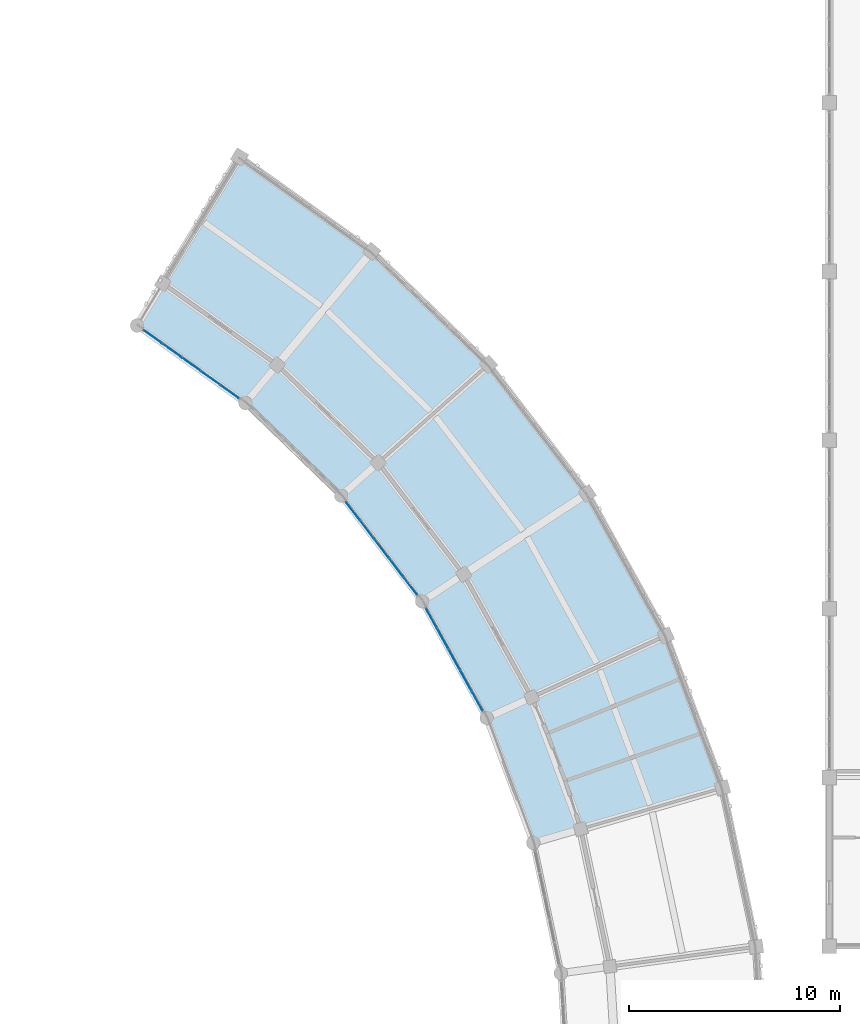
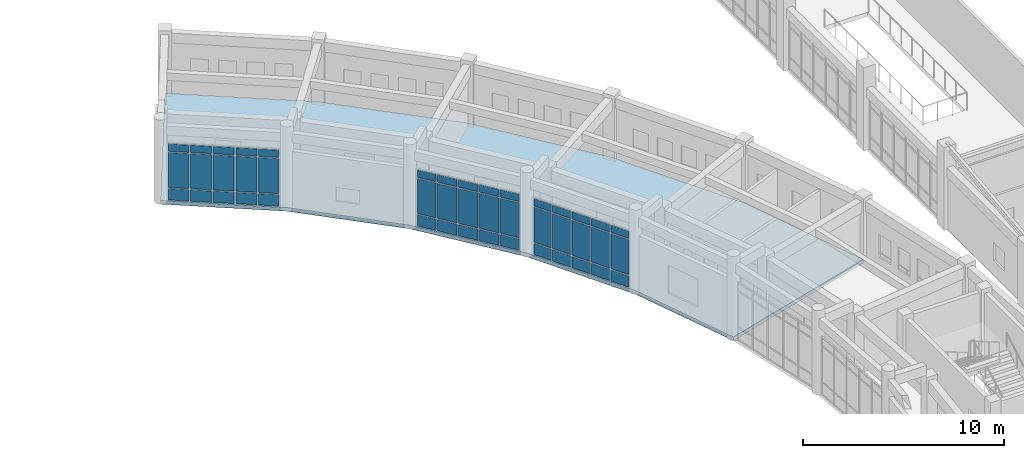
# One storey, part 111 of 159: 45 plates, 1 slab, 3 elements without a shape of their own.
"""IFC4 building model written with IfcOpenShell, lengths in metres."""

import ifcopenshell
import ifcopenshell.guid

model = None  # the IFC model being written
_history = None  # IfcOwnerHistory: only IFC2X3 demands one
_inside = {}  # id of a spatial element -> (the spatial element, [elements in it])
_under = {}  # id of a project, library or spatial element -> (it, [spatial elements below it])
_declared = {}  # id of a project -> (the project, [libraries it declares])
_typed = {}  # id of a type object -> (the type object, [elements of that type])
_made_of = {}  # id of a material, layer set ... -> (it, [elements and type objects made of it])


def new_model(schema):
    """Start an empty IFC model of exactly this schema.

    Asked for "IFC4X3", IfcOpenShell would pick the latest addendum, in which some entities
    have other attributes; the version numbers below select the first issue.
    IFC2X3 requires an IfcOwnerHistory on every rooted entity: one is made here for all.
    """
    global model, _history
    if schema == "IFC4X3":
        model = ifcopenshell.file(schema_version=(4, 3, 0, 0))
    else:
        model = ifcopenshell.file(schema=schema)
    _inside.clear()
    _under.clear()
    _declared.clear()
    _typed.clear()
    _made_of.clear()
    _history = None
    if model.schema == "IFC2X3":
        org = make("IfcOrganization", Name="unknown")
        user = make(
            "IfcPersonAndOrganization",
            ThePerson=make("IfcPerson", FamilyName="unknown"),
            TheOrganization=org,
        )
        app = make(
            "IfcApplication",
            ApplicationDeveloper=org,
            Version="unknown",
            ApplicationFullName="unknown",
            ApplicationIdentifier="unknown",
        )
        _history = make(
            "IfcOwnerHistory",
            OwningUser=user,
            OwningApplication=app,
            ChangeAction="ADDED",
            CreationDate=0,
        )
    return model


def make(cls, **values):
    """One entity of the class cls with the attributes given. An attribute that is None is left unset."""
    return model.create_entity(
        cls, **{name: value for name, value in values.items() if value is not None}
    )


def rooted(cls, **values):
    """An entity with a GlobalId (a new one), such as an element, a storey or a relation."""
    return make(cls, GlobalId=ifcopenshell.guid.new(), OwnerHistory=_history, **values)


def si_unit(unit_type, name, prefix=None):
    """IfcSIUnit, for example si_unit("LENGTHUNIT", "METRE", prefix="MILLI")."""
    return make("IfcSIUnit", UnitType=unit_type, Prefix=prefix, Name=name)


def assignment(units):
    """IfcUnitAssignment: the units of a project."""
    return None if units is None else make("IfcUnitAssignment", Units=units)


def point(xyz):
    """IfcCartesianPoint."""
    return None if xyz is None else make("IfcCartesianPoint", Coordinates=xyz)


def direction(xyz):
    """IfcDirection."""
    return None if xyz is None else make("IfcDirection", DirectionRatios=xyz)


def frame(location, z_axis=None, x_axis=None):
    """IfcAxis2Placement3D, a coordinate frame: its origin and axes. An axis left out is left unset."""
    return make(
        "IfcAxis2Placement3D",
        Location=point(location),
        Axis=direction(z_axis),
        RefDirection=direction(x_axis),
    )


def frame_2d(location, x_axis=None):
    """IfcAxis2Placement2D, a coordinate frame in the plane: its origin and x axis."""
    return make(
        "IfcAxis2Placement2D", Location=point(location), RefDirection=direction(x_axis)
    )


def origin():
    """The frame at (0, 0, 0) with its axes left unset."""
    return frame((0.0, 0.0, 0.0))


def origin_2d():
    """The frame at (0, 0) in the plane with its x axis left unset."""
    return frame_2d((0.0, 0.0))


def place(relative_to, where):
    """IfcLocalPlacement: puts the frame where relative to a parent placement (None: the world)."""
    return make(
        "IfcLocalPlacement", PlacementRelTo=relative_to, RelativePlacement=where
    )


def context(
    kind, dimensions, precision=None, world=None, true_north=None, identifier=None
):
    """IfcGeometricRepresentationContext, for example the 3D "Model" context."""
    return make(
        "IfcGeometricRepresentationContext",
        ContextIdentifier=identifier,
        ContextType=kind,
        CoordinateSpaceDimension=dimensions,
        Precision=precision,
        WorldCoordinateSystem=world,
        TrueNorth=true_north,
    )


def subcontext(parent, identifier, kind, view, scale=None):
    """IfcGeometricRepresentationSubContext, for example "Body" below "Model"."""
    return make(
        "IfcGeometricRepresentationSubContext",
        ContextIdentifier=identifier,
        ContextType=kind,
        ParentContext=parent,
        TargetScale=scale,
        TargetView=view,
    )


def project(units=None, contexts=None):
    """IfcProject with its units and contexts."""
    return rooted(
        "IfcProject",
        Name="project",
        RepresentationContexts=contexts,
        UnitsInContext=assignment(units),
    )


def spatial(cls, under=None, at=None, **own):
    """A site, building, storey or space (cls), placed at a placement, below another one or the project."""
    s = rooted(cls, ObjectPlacement=at, **own)
    if under is not None:
        _under.setdefault(under.id(), (under, []))[1].append(s)
    return s


def polyline(points):
    """IfcPolyline through the points."""
    return make("IfcPolyline", Points=[point(p) for p in points])


def profile(cls, at=None, kind="AREA", **sizes):
    """A parametric profile (cls). Its sizes go by their IFC names, for example OverallWidth=200.0."""
    return make(cls, ProfileType=kind, Position=at, **sizes)


def rectangle(**sizes):
    """IfcRectangleProfileDef."""
    return profile("IfcRectangleProfileDef", **sizes)


def outline(outer, holes=None, kind="AREA"):
    """IfcArbitraryClosedProfileDef: a profile drawn as a closed curve; with holes, ...WithVoids."""
    if holes is None:
        return make("IfcArbitraryClosedProfileDef", ProfileType=kind, OuterCurve=outer)
    return make(
        "IfcArbitraryProfileDefWithVoids",
        ProfileType=kind,
        OuterCurve=outer,
        InnerCurves=holes,
    )


def extrude(swept, where, along, depth):
    """IfcExtrudedAreaSolid: the profile swept, set in the frame where, extruded along a direction by depth."""
    return make(
        "IfcExtrudedAreaSolid",
        SweptArea=swept,
        Position=where,
        ExtrudedDirection=direction(along),
        Depth=depth,
    )


def shape(context_of_items, identifier, shape_type, items):
    """IfcShapeRepresentation: the items that make up one representation, for example the "Body"."""
    return make(
        "IfcShapeRepresentation",
        ContextOfItems=context_of_items,
        RepresentationIdentifier=identifier,
        RepresentationType=shape_type,
        Items=items,
    )


def material(Name=None, Category=None):
    """IfcMaterial."""
    return make("IfcMaterial", Name=Name, Category=Category)


def layer(
    of_material, thickness, ventilated=None, Name=None, Category=None, Priority=None
):
    """IfcMaterialLayer: one layer of a wall or slab, of a material (None: an air gap)."""
    return make(
        "IfcMaterialLayer",
        Material=of_material,
        LayerThickness=thickness,
        IsVentilated=ventilated,
        Name=Name,
        Category=Category,
        Priority=Priority,
    )


def layer_set(layers, Name=None):
    """IfcMaterialLayerSet."""
    return make("IfcMaterialLayerSet", MaterialLayers=layers, LayerSetName=Name)


def made_of(thing, what):
    """Note that an element or type object is made of a material, layer set ...; save() writes the relation."""
    if what is not None:
        _made_of.setdefault(what.id(), (what, []))[1].append(thing)
    return thing


def type_object(cls, material=None, **own):
    """A type object (cls), such as IfcWallType, which elements share."""
    return made_of(rooted(cls, **own), material)


def element(
    cls,
    number,
    at=None,
    inside=None,
    cuts=None,
    type_object=None,
    material=None,
    context=None,
    identifier="Body",
    shape_type=None,
    held_by="IfcProductDefinitionShape",
    body=None,
    shapes=None,
    **own,
):
    """One element of the class cls, such as IfcWall. Its Tag is "e" and its number.

    at: its placement. inside: the storey or other place that contains it. cuts: it is an
    opening in that element (IfcRelVoidsElement). A single representation is given by context,
    identifier, shape_type and body (its items); several are given by shapes. held_by: the class
    of the entity that holds the representations. save() writes the other relations.
    """
    e = rooted(cls, Tag="e%d" % number, ObjectPlacement=at, **own)
    if body is not None:
        shapes = [shape(context, identifier, shape_type, body)]
    if shapes is not None:
        e.Representation = make(held_by, Representations=shapes)
    if inside is not None:
        _inside.setdefault(inside.id(), (inside, []))[1].append(e)
    if cuts is not None:
        rooted(
            "IfcRelVoidsElement", RelatingBuildingElement=cuts, RelatedOpeningElement=e
        )
    if type_object is not None:
        _typed.setdefault(type_object.id(), (type_object, []))[1].append(e)
    return made_of(e, material)


def aggregate(whole, parts):
    """IfcRelAggregates: a whole, such as a stair, and the parts it consists of."""
    return rooted("IfcRelAggregates", RelatingObject=whole, RelatedObjects=parts)


def save(model, path):
    """Write the relations noted so far, then the file.

    IfcRelAggregates (storeys below a building ...), IfcRelContainedInSpatialStructure (elements
    in a storey), IfcRelDefinesByType, IfcRelAssociatesMaterial and IfcRelDeclares: one each for
    every whole, place, type object, material and project.
    """
    for whole, parts in _under.values():
        aggregate(whole, parts)
    for where, things in _inside.values():
        rooted(
            "IfcRelContainedInSpatialStructure",
            RelatedElements=things,
            RelatingStructure=where,
        )
    for kind, things in _typed.values():
        rooted("IfcRelDefinesByType", RelatedObjects=things, RelatingType=kind)
    for what, things in _made_of.values():
        rooted("IfcRelAssociatesMaterial", RelatedObjects=things, RelatingMaterial=what)
    for by, libraries in _declared.values():
        rooted("IfcRelDeclares", RelatingContext=by, RelatedDefinitions=libraries)
    model.write(path)


model = new_model("IFC4")

# Units and contexts
model_context = context("Model", 3, precision=1e-05, world=origin(), true_north=direction((0.0, 1.0)))
body_context = subcontext(model_context, "Body", "Model", "MODEL_VIEW")
ifc_project = project(units=[si_unit("LENGTHUNIT", "METRE"), si_unit("AREAUNIT", "SQUARE_METRE"), si_unit("VOLUMEUNIT", "CUBIC_METRE"), si_unit("PLANEANGLEUNIT", "RADIAN"), si_unit("MASSUNIT", "GRAM", prefix="KILO")], contexts=[model_context])

# Site, building, storey
site_placement = place(None, origin())
site = spatial("IfcSite", under=ifc_project, at=site_placement, CompositionType="ELEMENT")
building_placement = place(site_placement, origin())
building = spatial("IfcBuilding", under=site, at=building_placement, Name="Celadon Cloister-Ring School", CompositionType="ELEMENT")
storey_placement = place(building_placement, frame((0.0, 0.0, 4.5)))
storey = spatial("IfcBuildingStorey", under=building, at=storey_placement, Name="L01", CompositionType="ELEMENT", Elevation=4.5)

# Curtain wall, plates
ifc_material_1 = material(Name="Aluminium EN AW-6063 T6", Category="aluminium")
curtain_wall_type = type_object("IfcCurtainWallType", Name="CW-01", PredefinedType="USERDEFINED", material=ifc_material_1)
curtain_wall_1_placement = place(storey_placement, origin())
curtain_wall_1 = element("IfcCurtainWall", 1, at=curtain_wall_1_placement, inside=storey, type_object=curtain_wall_type, Name="Curtain Wall 0041", ObjectType="CURTAIN WALL", PredefinedType="USERDEFINED")
ifc_material_2 = material(Name="Tempered laminated insulating glass", Category="glass")
ifc_layer_1 = layer(ifc_material_2, 0.028076171875)
ifc_layer_set_1 = layer_set([ifc_layer_1], Name="Tempered laminated insulating glass")
plate_type = type_object("IfcPlateType", Name="CPN-02", PredefinedType="CURTAIN_PANEL", material=ifc_layer_set_1)
plate_1_placement = place(storey_placement, frame((125.307861328125, 77.61669921875, 0.074951171875), z_axis=(0.0, 0.0, 1.0), x_axis=(-0.483934962494, 0.875103966438, 0.0)))
plate_1 = element("IfcPlate", 2, at=plate_1_placement, type_object=plate_type, Name="CW-01 panel 1.1", PredefinedType="CURTAIN_PANEL", context=body_context, shape_type="SweptSolid", body=[
    extrude(rectangle(XDim=1.013916015625, YDim=0.028076171875, at=origin_2d()), origin(), (0.0, 0.0, 1.0), 0.6875),
])
plate_2_placement = place(storey_placement, frame((125.307861328125, 77.61669921875, 0.83740234375), z_axis=(0.0, 0.0, 1.0), x_axis=(-0.483934962494, 0.875103966438, 0.0)))
plate_2 = element("IfcPlate", 3, at=plate_2_placement, type_object=plate_type, Name="CW-01 panel 1.2", PredefinedType="CURTAIN_PANEL", context=body_context, shape_type="SweptSolid", body=[
    extrude(rectangle(XDim=1.013916015625, YDim=0.028076171875, at=origin_2d()), origin(), (0.0, 0.0, 1.0), 2.125),
])
plate_3_placement = place(storey_placement, frame((125.307861328125, 77.61669921875, 3.03759765625), z_axis=(0.0, 0.0, 1.0), x_axis=(-0.483934962494, 0.875103966438, 0.0)))
plate_3 = element("IfcPlate", 4, at=plate_3_placement, type_object=plate_type, Name="CW-01 panel 1.3", PredefinedType="CURTAIN_PANEL", context=body_context, shape_type="SweptSolid", body=[
    extrude(rectangle(XDim=1.013916015625, YDim=0.028076171875, at=origin_2d()), origin(), (0.0, 0.0, 1.0), 0.4375),
])
plate_4_placement = place(storey_placement, frame((124.768798828125, 78.591552734375, 0.074951171875), z_axis=(0.0, 0.0, 1.0), x_axis=(-0.483934962494, 0.875103966438, 0.0)))
plate_4 = element("IfcPlate", 5, at=plate_4_placement, type_object=plate_type, Name="CW-01 panel 2.1", PredefinedType="CURTAIN_PANEL", context=body_context, shape_type="SweptSolid", body=[
    extrude(rectangle(XDim=1.053955078125, YDim=0.028076171875, at=origin_2d()), origin(), (0.0, 0.0, 1.0), 0.6875),
])
plate_5_placement = place(storey_placement, frame((124.768798828125, 78.591552734375, 0.83740234375), z_axis=(0.0, 0.0, 1.0), x_axis=(-0.483934962494, 0.875103966438, 0.0)))
plate_5 = element("IfcPlate", 6, at=plate_5_placement, type_object=plate_type, Name="CW-01 panel 2.2", PredefinedType="CURTAIN_PANEL", context=body_context, shape_type="SweptSolid", body=[
    extrude(rectangle(XDim=1.053955078125, YDim=0.028076171875, at=origin_2d()), origin(), (0.0, 0.0, 1.0), 2.125),
])
plate_6_placement = place(storey_placement, frame((124.768798828125, 78.591552734375, 3.03759765625), z_axis=(0.0, 0.0, 1.0), x_axis=(-0.483934962494, 0.875103966438, 0.0)))
plate_6 = element("IfcPlate", 7, at=plate_6_placement, type_object=plate_type, Name="CW-01 panel 2.3", PredefinedType="CURTAIN_PANEL", context=body_context, shape_type="SweptSolid", body=[
    extrude(rectangle(XDim=1.053955078125, YDim=0.028076171875, at=origin_2d()), origin(), (0.0, 0.0, 1.0), 0.4375),
])
plate_7_placement = place(storey_placement, frame((124.219970703125, 79.583984375, 0.074951171875), z_axis=(0.0, 0.0, 1.0), x_axis=(-0.483934962494, 0.875103966438, 0.0)))
plate_7 = element("IfcPlate", 8, at=plate_7_placement, type_object=plate_type, Name="CW-01 panel 3.1", PredefinedType="CURTAIN_PANEL", context=body_context, shape_type="SweptSolid", body=[
    extrude(rectangle(XDim=1.053955078125, YDim=0.028076171875, at=origin_2d()), origin(), (0.0, 0.0, 1.0), 0.6875),
])
plate_8_placement = place(storey_placement, frame((124.219970703125, 79.583984375, 0.83740234375), z_axis=(0.0, 0.0, 1.0), x_axis=(-0.483934962494, 0.875103966438, 0.0)))
plate_8 = element("IfcPlate", 9, at=plate_8_placement, type_object=plate_type, Name="CW-01 panel 3.2", PredefinedType="CURTAIN_PANEL", context=body_context, shape_type="SweptSolid", body=[
    extrude(rectangle(XDim=1.053955078125, YDim=0.028076171875, at=origin_2d()), origin(), (0.0, 0.0, 1.0), 2.125),
])
plate_9_placement = place(storey_placement, frame((124.219970703125, 79.583984375, 3.03759765625), z_axis=(0.0, 0.0, 1.0), x_axis=(-0.483934962494, 0.875103966438, 0.0)))
plate_9 = element("IfcPlate", 10, at=plate_9_placement, type_object=plate_type, Name="CW-01 panel 3.3", PredefinedType="CURTAIN_PANEL", context=body_context, shape_type="SweptSolid", body=[
    extrude(rectangle(XDim=1.053955078125, YDim=0.028076171875, at=origin_2d()), origin(), (0.0, 0.0, 1.0), 0.4375),
])
plate_10_placement = place(storey_placement, frame((123.671142578125, 80.576416015625, 0.074951171875), z_axis=(0.0, 0.0, 1.0), x_axis=(-0.483934962494, 0.875103966438, 0.0)))
plate_10 = element("IfcPlate", 11, at=plate_10_placement, type_object=plate_type, Name="CW-01 panel 4.1", PredefinedType="CURTAIN_PANEL", context=body_context, shape_type="SweptSolid", body=[
    extrude(rectangle(XDim=1.053955078125, YDim=0.028076171875, at=origin_2d()), origin(), (0.0, 0.0, 1.0), 0.6875),
])
plate_11_placement = place(storey_placement, frame((123.671142578125, 80.576416015625, 0.83740234375), z_axis=(0.0, 0.0, 1.0), x_axis=(-0.483934962494, 0.875103966438, 0.0)))
plate_11 = element("IfcPlate", 12, at=plate_11_placement, type_object=plate_type, Name="CW-01 panel 4.2", PredefinedType="CURTAIN_PANEL", context=body_context, shape_type="SweptSolid", body=[
    extrude(rectangle(XDim=1.053955078125, YDim=0.028076171875, at=origin_2d()), origin(), (0.0, 0.0, 1.0), 2.125),
])
plate_12_placement = place(storey_placement, frame((123.671142578125, 80.576416015625, 3.03759765625), z_axis=(0.0, 0.0, 1.0), x_axis=(-0.483934962494, 0.875103966438, 0.0)))
plate_12 = element("IfcPlate", 13, at=plate_12_placement, type_object=plate_type, Name="CW-01 panel 4.3", PredefinedType="CURTAIN_PANEL", context=body_context, shape_type="SweptSolid", body=[
    extrude(rectangle(XDim=1.053955078125, YDim=0.028076171875, at=origin_2d()), origin(), (0.0, 0.0, 1.0), 0.4375),
])
plate_13_placement = place(storey_placement, frame((123.132080078125, 81.55126953125, 0.074951171875), z_axis=(0.0, 0.0, 1.0), x_axis=(-0.483934962494, 0.875103966438, 0.0)))
plate_13 = element("IfcPlate", 14, at=plate_13_placement, type_object=plate_type, Name="CW-01 panel 5.1", PredefinedType="CURTAIN_PANEL", context=body_context, shape_type="SweptSolid", body=[
    extrude(rectangle(XDim=1.013916015625, YDim=0.028076171875, at=origin_2d()), origin(), (0.0, 0.0, 1.0), 0.6875),
])
plate_14_placement = place(storey_placement, frame((123.132080078125, 81.55126953125, 0.83740234375), z_axis=(0.0, 0.0, 1.0), x_axis=(-0.483934962494, 0.875103966438, 0.0)))
plate_14 = element("IfcPlate", 15, at=plate_14_placement, type_object=plate_type, Name="CW-01 panel 5.2", PredefinedType="CURTAIN_PANEL", context=body_context, shape_type="SweptSolid", body=[
    extrude(rectangle(XDim=1.013916015625, YDim=0.028076171875, at=origin_2d()), origin(), (0.0, 0.0, 1.0), 2.125),
])
plate_15_placement = place(storey_placement, frame((123.132080078125, 81.55126953125, 3.03759765625), z_axis=(0.0, 0.0, 1.0), x_axis=(-0.483934962494, 0.875103966438, 0.0)))
plate_15 = element("IfcPlate", 16, at=plate_15_placement, type_object=plate_type, Name="CW-01 panel 5.3", PredefinedType="CURTAIN_PANEL", context=body_context, shape_type="SweptSolid", body=[
    extrude(rectangle(XDim=1.013916015625, YDim=0.028076171875, at=origin_2d()), origin(), (0.0, 0.0, 1.0), 0.4375),
])
aggregate(curtain_wall_1, [plate_1, plate_2, plate_3, plate_4, plate_5, plate_6, plate_7, plate_8, plate_9, plate_10, plate_11, plate_12, plate_13, plate_14, plate_15])

curtain_wall_2_placement = place(storey_placement, origin())
curtain_wall_2 = element("IfcCurtainWall", 17, at=curtain_wall_2_placement, inside=storey, type_object=curtain_wall_type, Name="Curtain Wall 0042", ObjectType="CURTAIN WALL", PredefinedType="USERDEFINED")
plate_16_placement = place(storey_placement, frame((122.13623046875, 83.072998046875, 0.074951171875), z_axis=(0.0, 0.0, 1.0), x_axis=(-0.607875738699, 0.794032169563, 0.0)))
plate_16 = element("IfcPlate", 18, at=plate_16_placement, type_object=plate_type, Name="CW-01 panel 1.1", PredefinedType="CURTAIN_PANEL", context=body_context, shape_type="SweptSolid", body=[
    extrude(rectangle(XDim=1.013427734375, YDim=0.028076171875, at=origin_2d()), origin(), (0.0, 0.0, 1.0), 0.6875),
])
plate_17_placement = place(storey_placement, frame((122.13623046875, 83.072998046875, 0.83740234375), z_axis=(0.0, 0.0, 1.0), x_axis=(-0.607875738699, 0.794032169563, 0.0)))
plate_17 = element("IfcPlate", 19, at=plate_17_placement, type_object=plate_type, Name="CW-01 panel 1.2", PredefinedType="CURTAIN_PANEL", context=body_context, shape_type="SweptSolid", body=[
    extrude(rectangle(XDim=1.013427734375, YDim=0.028076171875, at=origin_2d()), origin(), (0.0, 0.0, 1.0), 2.125),
])
plate_18_placement = place(storey_placement, frame((122.13623046875, 83.072998046875, 3.03759765625), z_axis=(0.0, 0.0, 1.0), x_axis=(-0.607875738699, 0.794032169563, 0.0)))
plate_18 = element("IfcPlate", 20, at=plate_18_placement, type_object=plate_type, Name="CW-01 panel 1.3", PredefinedType="CURTAIN_PANEL", context=body_context, shape_type="SweptSolid", body=[
    extrude(rectangle(XDim=1.013427734375, YDim=0.028076171875, at=origin_2d()), origin(), (0.0, 0.0, 1.0), 0.4375),
])
plate_19_placement = place(storey_placement, frame((121.45947265625, 83.95703125, 0.074951171875), z_axis=(0.0, 0.0, 1.0), x_axis=(-0.607875738699, 0.794032169563, 0.0)))
plate_19 = element("IfcPlate", 21, at=plate_19_placement, type_object=plate_type, Name="CW-01 panel 2.1", PredefinedType="CURTAIN_PANEL", context=body_context, shape_type="SweptSolid", body=[
    extrude(rectangle(XDim=1.053466796875, YDim=0.028076171875, at=origin_2d()), origin(), (0.0, 0.0, 1.0), 0.6875),
])
plate_20_placement = place(storey_placement, frame((121.45947265625, 83.95703125, 0.83740234375), z_axis=(0.0, 0.0, 1.0), x_axis=(-0.607875738699, 0.794032169563, 0.0)))
plate_20 = element("IfcPlate", 22, at=plate_20_placement, type_object=plate_type, Name="CW-01 panel 2.2", PredefinedType="CURTAIN_PANEL", context=body_context, shape_type="SweptSolid", body=[
    extrude(rectangle(XDim=1.053466796875, YDim=0.028076171875, at=origin_2d()), origin(), (0.0, 0.0, 1.0), 2.125),
])
plate_21_placement = place(storey_placement, frame((121.45947265625, 83.95703125, 3.03759765625), z_axis=(0.0, 0.0, 1.0), x_axis=(-0.607875738699, 0.794032169563, 0.0)))
plate_21 = element("IfcPlate", 23, at=plate_21_placement, type_object=plate_type, Name="CW-01 panel 2.3", PredefinedType="CURTAIN_PANEL", context=body_context, shape_type="SweptSolid", body=[
    extrude(rectangle(XDim=1.053466796875, YDim=0.028076171875, at=origin_2d()), origin(), (0.0, 0.0, 1.0), 0.4375),
])
plate_22_placement = place(storey_placement, frame((120.7705078125, 84.85693359375, 0.074951171875), z_axis=(0.0, 0.0, 1.0), x_axis=(-0.607875738699, 0.794032169563, 0.0)))
plate_22 = element("IfcPlate", 24, at=plate_22_placement, type_object=plate_type, Name="CW-01 panel 3.1", PredefinedType="CURTAIN_PANEL", context=body_context, shape_type="SweptSolid", body=[
    extrude(rectangle(XDim=1.053466796875, YDim=0.028076171875, at=origin_2d()), origin(), (0.0, 0.0, 1.0), 0.6875),
])
plate_23_placement = place(storey_placement, frame((120.7705078125, 84.85693359375, 0.83740234375), z_axis=(0.0, 0.0, 1.0), x_axis=(-0.607875738699, 0.794032169563, 0.0)))
plate_23 = element("IfcPlate", 25, at=plate_23_placement, type_object=plate_type, Name="CW-01 panel 3.2", PredefinedType="CURTAIN_PANEL", context=body_context, shape_type="SweptSolid", body=[
    extrude(rectangle(XDim=1.053466796875, YDim=0.028076171875, at=origin_2d()), origin(), (0.0, 0.0, 1.0), 2.125),
])
plate_24_placement = place(storey_placement, frame((120.7705078125, 84.85693359375, 3.03759765625), z_axis=(0.0, 0.0, 1.0), x_axis=(-0.607875738699, 0.794032169563, 0.0)))
plate_24 = element("IfcPlate", 26, at=plate_24_placement, type_object=plate_type, Name="CW-01 panel 3.3", PredefinedType="CURTAIN_PANEL", context=body_context, shape_type="SweptSolid", body=[
    extrude(rectangle(XDim=1.053466796875, YDim=0.028076171875, at=origin_2d()), origin(), (0.0, 0.0, 1.0), 0.4375),
])
plate_25_placement = place(storey_placement, frame((120.08154296875, 85.757080078125, 0.074951171875), z_axis=(0.0, 0.0, 1.0), x_axis=(-0.607875738699, 0.794032169563, 0.0)))
plate_25 = element("IfcPlate", 27, at=plate_25_placement, type_object=plate_type, Name="CW-01 panel 4.1", PredefinedType="CURTAIN_PANEL", context=body_context, shape_type="SweptSolid", body=[
    extrude(rectangle(XDim=1.053466796875, YDim=0.028076171875, at=origin_2d()), origin(), (0.0, 0.0, 1.0), 0.6875),
])
plate_26_placement = place(storey_placement, frame((120.08154296875, 85.757080078125, 0.83740234375), z_axis=(0.0, 0.0, 1.0), x_axis=(-0.607875738699, 0.794032169563, 0.0)))
plate_26 = element("IfcPlate", 28, at=plate_26_placement, type_object=plate_type, Name="CW-01 panel 4.2", PredefinedType="CURTAIN_PANEL", context=body_context, shape_type="SweptSolid", body=[
    extrude(rectangle(XDim=1.053466796875, YDim=0.028076171875, at=origin_2d()), origin(), (0.0, 0.0, 1.0), 2.125),
])
plate_27_placement = place(storey_placement, frame((120.08154296875, 85.757080078125, 3.03759765625), z_axis=(0.0, 0.0, 1.0), x_axis=(-0.607875738699, 0.794032169563, 0.0)))
plate_27 = element("IfcPlate", 29, at=plate_27_placement, type_object=plate_type, Name="CW-01 panel 4.3", PredefinedType="CURTAIN_PANEL", context=body_context, shape_type="SweptSolid", body=[
    extrude(rectangle(XDim=1.053466796875, YDim=0.028076171875, at=origin_2d()), origin(), (0.0, 0.0, 1.0), 0.4375),
])
plate_28_placement = place(storey_placement, frame((119.404541015625, 86.64111328125, 0.074951171875), z_axis=(0.0, 0.0, 1.0), x_axis=(-0.607875738699, 0.794032169563, 0.0)))
plate_28 = element("IfcPlate", 30, at=plate_28_placement, type_object=plate_type, Name="CW-01 panel 5.1", PredefinedType="CURTAIN_PANEL", context=body_context, shape_type="SweptSolid", body=[
    extrude(rectangle(XDim=1.013427734375, YDim=0.028076171875, at=origin_2d()), origin(), (0.0, 0.0, 1.0), 0.6875),
])
plate_29_placement = place(storey_placement, frame((119.404541015625, 86.64111328125, 0.83740234375), z_axis=(0.0, 0.0, 1.0), x_axis=(-0.607875738699, 0.794032169563, 0.0)))
plate_29 = element("IfcPlate", 31, at=plate_29_placement, type_object=plate_type, Name="CW-01 panel 5.2", PredefinedType="CURTAIN_PANEL", context=body_context, shape_type="SweptSolid", body=[
    extrude(rectangle(XDim=1.013427734375, YDim=0.028076171875, at=origin_2d()), origin(), (0.0, 0.0, 1.0), 2.125),
])
plate_30_placement = place(storey_placement, frame((119.404541015625, 86.64111328125, 3.03759765625), z_axis=(0.0, 0.0, 1.0), x_axis=(-0.607875738699, 0.794032169563, 0.0)))
plate_30 = element("IfcPlate", 32, at=plate_30_placement, type_object=plate_type, Name="CW-01 panel 5.3", PredefinedType="CURTAIN_PANEL", context=body_context, shape_type="SweptSolid", body=[
    extrude(rectangle(XDim=1.013427734375, YDim=0.028076171875, at=origin_2d()), origin(), (0.0, 0.0, 1.0), 0.4375),
])
aggregate(curtain_wall_2, [plate_16, plate_17, plate_18, plate_19, plate_20, plate_21, plate_22, plate_23, plate_24, plate_25, plate_26, plate_27, plate_28, plate_29, plate_30])

curtain_wall_3_placement = place(storey_placement, origin())
curtain_wall_3 = element("IfcCurtainWall", 33, at=curtain_wall_3_placement, inside=storey, type_object=curtain_wall_type, Name="Curtain Wall 0043", ObjectType="CURTAIN WALL", PredefinedType="USERDEFINED")
plate_31_placement = place(storey_placement, frame((113.568603515625, 92.290283203125, 0.074951171875), z_axis=(0.0, 0.0, 1.0), x_axis=(-0.813506963862, 0.581555173434, 0.0)))
plate_31 = element("IfcPlate", 34, at=plate_31_placement, type_object=plate_type, Name="CW-01 panel 1.1", PredefinedType="CURTAIN_PANEL", context=body_context, shape_type="SweptSolid", body=[
    extrude(rectangle(XDim=1.013916015625, YDim=0.028076171875, at=origin_2d()), origin(), (0.0, 0.0, 1.0), 0.6875),
])
plate_32_placement = place(storey_placement, frame((113.568603515625, 92.290283203125, 0.83740234375), z_axis=(0.0, 0.0, 1.0), x_axis=(-0.813506963862, 0.581555173434, 0.0)))
plate_32 = element("IfcPlate", 35, at=plate_32_placement, type_object=plate_type, Name="CW-01 panel 1.2", PredefinedType="CURTAIN_PANEL", context=body_context, shape_type="SweptSolid", body=[
    extrude(rectangle(XDim=1.013916015625, YDim=0.028076171875, at=origin_2d()), origin(), (0.0, 0.0, 1.0), 2.125),
])
plate_33_placement = place(storey_placement, frame((113.568603515625, 92.290283203125, 3.03759765625), z_axis=(0.0, 0.0, 1.0), x_axis=(-0.813506963862, 0.581555173434, 0.0)))
plate_33 = element("IfcPlate", 36, at=plate_33_placement, type_object=plate_type, Name="CW-01 panel 1.3", PredefinedType="CURTAIN_PANEL", context=body_context, shape_type="SweptSolid", body=[
    extrude(rectangle(XDim=1.013916015625, YDim=0.028076171875, at=origin_2d()), origin(), (0.0, 0.0, 1.0), 0.4375),
])
plate_34_placement = place(storey_placement, frame((112.662353515625, 92.93798828125, 0.074951171875), z_axis=(0.0, 0.0, 1.0), x_axis=(-0.813506963862, 0.581555173434, 0.0)))
plate_34 = element("IfcPlate", 37, at=plate_34_placement, type_object=plate_type, Name="CW-01 panel 2.1", PredefinedType="CURTAIN_PANEL", context=body_context, shape_type="SweptSolid", body=[
    extrude(rectangle(XDim=1.053955078125, YDim=0.028076171875, at=origin_2d()), origin(), (0.0, 0.0, 1.0), 0.6875),
])
plate_35_placement = place(storey_placement, frame((112.662353515625, 92.93798828125, 0.83740234375), z_axis=(0.0, 0.0, 1.0), x_axis=(-0.813506963862, 0.581555173434, 0.0)))
plate_35 = element("IfcPlate", 38, at=plate_35_placement, type_object=plate_type, Name="CW-01 panel 2.2", PredefinedType="CURTAIN_PANEL", context=body_context, shape_type="SweptSolid", body=[
    extrude(rectangle(XDim=1.053955078125, YDim=0.028076171875, at=origin_2d()), origin(), (0.0, 0.0, 1.0), 2.125),
])
plate_36_placement = place(storey_placement, frame((112.662353515625, 92.93798828125, 3.03759765625), z_axis=(0.0, 0.0, 1.0), x_axis=(-0.813506963862, 0.581555173434, 0.0)))
plate_36 = element("IfcPlate", 39, at=plate_36_placement, type_object=plate_type, Name="CW-01 panel 2.3", PredefinedType="CURTAIN_PANEL", context=body_context, shape_type="SweptSolid", body=[
    extrude(rectangle(XDim=1.053955078125, YDim=0.028076171875, at=origin_2d()), origin(), (0.0, 0.0, 1.0), 0.4375),
])
plate_37_placement = place(storey_placement, frame((111.739990234375, 93.597412109375, 0.074951171875), z_axis=(0.0, 0.0, 1.0), x_axis=(-0.813506963862, 0.581555173434, 0.0)))
plate_37 = element("IfcPlate", 40, at=plate_37_placement, type_object=plate_type, Name="CW-01 panel 3.1", PredefinedType="CURTAIN_PANEL", context=body_context, shape_type="SweptSolid", body=[
    extrude(rectangle(XDim=1.053955078125, YDim=0.028076171875, at=origin_2d()), origin(), (0.0, 0.0, 1.0), 0.6875),
])
plate_38_placement = place(storey_placement, frame((111.739990234375, 93.597412109375, 0.83740234375), z_axis=(0.0, 0.0, 1.0), x_axis=(-0.813506963862, 0.581555173434, 0.0)))
plate_38 = element("IfcPlate", 41, at=plate_38_placement, type_object=plate_type, Name="CW-01 panel 3.2", PredefinedType="CURTAIN_PANEL", context=body_context, shape_type="SweptSolid", body=[
    extrude(rectangle(XDim=1.053955078125, YDim=0.028076171875, at=origin_2d()), origin(), (0.0, 0.0, 1.0), 2.125),
])
plate_39_placement = place(storey_placement, frame((111.739990234375, 93.597412109375, 3.03759765625), z_axis=(0.0, 0.0, 1.0), x_axis=(-0.813506963862, 0.581555173434, 0.0)))
plate_39 = element("IfcPlate", 42, at=plate_39_placement, type_object=plate_type, Name="CW-01 panel 3.3", PredefinedType="CURTAIN_PANEL", context=body_context, shape_type="SweptSolid", body=[
    extrude(rectangle(XDim=1.053955078125, YDim=0.028076171875, at=origin_2d()), origin(), (0.0, 0.0, 1.0), 0.4375),
])
plate_40_placement = place(storey_placement, frame((110.817626953125, 94.2568359375, 0.074951171875), z_axis=(0.0, 0.0, 1.0), x_axis=(-0.813506963862, 0.581555173434, 0.0)))
plate_40 = element("IfcPlate", 43, at=plate_40_placement, type_object=plate_type, Name="CW-01 panel 4.1", PredefinedType="CURTAIN_PANEL", context=body_context, shape_type="SweptSolid", body=[
    extrude(rectangle(XDim=1.053955078125, YDim=0.028076171875, at=origin_2d()), origin(), (0.0, 0.0, 1.0), 0.6875),
])
plate_41_placement = place(storey_placement, frame((110.817626953125, 94.2568359375, 0.83740234375), z_axis=(0.0, 0.0, 1.0), x_axis=(-0.813506963862, 0.581555173434, 0.0)))
plate_41 = element("IfcPlate", 44, at=plate_41_placement, type_object=plate_type, Name="CW-01 panel 4.2", PredefinedType="CURTAIN_PANEL", context=body_context, shape_type="SweptSolid", body=[
    extrude(rectangle(XDim=1.053955078125, YDim=0.028076171875, at=origin_2d()), origin(), (0.0, 0.0, 1.0), 2.125),
])
plate_42_placement = place(storey_placement, frame((110.817626953125, 94.2568359375, 3.03759765625), z_axis=(0.0, 0.0, 1.0), x_axis=(-0.813506963862, 0.581555173434, 0.0)))
plate_42 = element("IfcPlate", 45, at=plate_42_placement, type_object=plate_type, Name="CW-01 panel 4.3", PredefinedType="CURTAIN_PANEL", context=body_context, shape_type="SweptSolid", body=[
    extrude(rectangle(XDim=1.053955078125, YDim=0.028076171875, at=origin_2d()), origin(), (0.0, 0.0, 1.0), 0.4375),
])
plate_43_placement = place(storey_placement, frame((109.911376953125, 94.90478515625, 0.074951171875), z_axis=(0.0, 0.0, 1.0), x_axis=(-0.813506963862, 0.581555173434, 0.0)))
plate_43 = element("IfcPlate", 46, at=plate_43_placement, type_object=plate_type, Name="CW-01 panel 5.1", PredefinedType="CURTAIN_PANEL", context=body_context, shape_type="SweptSolid", body=[
    extrude(rectangle(XDim=1.013916015625, YDim=0.028076171875, at=origin_2d()), origin(), (0.0, 0.0, 1.0), 0.6875),
])
plate_44_placement = place(storey_placement, frame((109.911376953125, 94.90478515625, 0.83740234375), z_axis=(0.0, 0.0, 1.0), x_axis=(-0.813506963862, 0.581555173434, 0.0)))
plate_44 = element("IfcPlate", 47, at=plate_44_placement, type_object=plate_type, Name="CW-01 panel 5.2", PredefinedType="CURTAIN_PANEL", context=body_context, shape_type="SweptSolid", body=[
    extrude(rectangle(XDim=1.013916015625, YDim=0.028076171875, at=origin_2d()), origin(), (0.0, 0.0, 1.0), 2.125),
])
plate_45_placement = place(storey_placement, frame((109.911376953125, 94.90478515625, 3.03759765625), z_axis=(0.0, 0.0, 1.0), x_axis=(-0.813506963862, 0.581555173434, 0.0)))
plate_45 = element("IfcPlate", 48, at=plate_45_placement, type_object=plate_type, Name="CW-01 panel 5.3", PredefinedType="CURTAIN_PANEL", context=body_context, shape_type="SweptSolid", body=[
    extrude(rectangle(XDim=1.013916015625, YDim=0.028076171875, at=origin_2d()), origin(), (0.0, 0.0, 1.0), 0.4375),
])
aggregate(curtain_wall_3, [plate_31, plate_32, plate_33, plate_34, plate_35, plate_36, plate_37, plate_38, plate_39, plate_40, plate_41, plate_42, plate_43, plate_44, plate_45])

# Slab
ifc_material_3 = material(Name="Concrete C35/45", Category="concrete")
ifc_layer_2 = layer(ifc_material_3, 0.219970703125)
ifc_layer_set_2 = layer_set([ifc_layer_2], Name="Concrete C35/45")
slab_type = type_object("IfcSlabType", Name="SL-FL2", PredefinedType="FLOOR", material=ifc_layer_set_2)
slab_placement = place(storey_placement, frame((0.0, 0.0, -0.219970703125)))
element("IfcSlab", 49, at=slab_placement, inside=storey, type_object=slab_type, Name="Ring L01 Sector 0014", PredefinedType="FLOOR", context=body_context, shape_type="SweptSolid", body=[
    extrude(outline(polyline([(127.95703125, 70.89892578125), (125.7490234375, 76.819091796875), (122.69091796875, 82.34912109375), (118.85009765625, 87.364990234375), (114.31005859375, 91.760009765625), (109.169921875, 95.43505859375), (114.031005859375, 103.422119140625), (120.297119140625, 98.94091796875), (125.83203125, 93.583984375), (130.51611328125, 87.467041015625), (134.243896484375, 80.72607421875), (136.93505859375, 73.508056640625), (127.95703125, 70.89892578125)])), origin(), (0.0, 0.0, 1.0), 0.219970703125),
])

save(model, "model.ifc")
